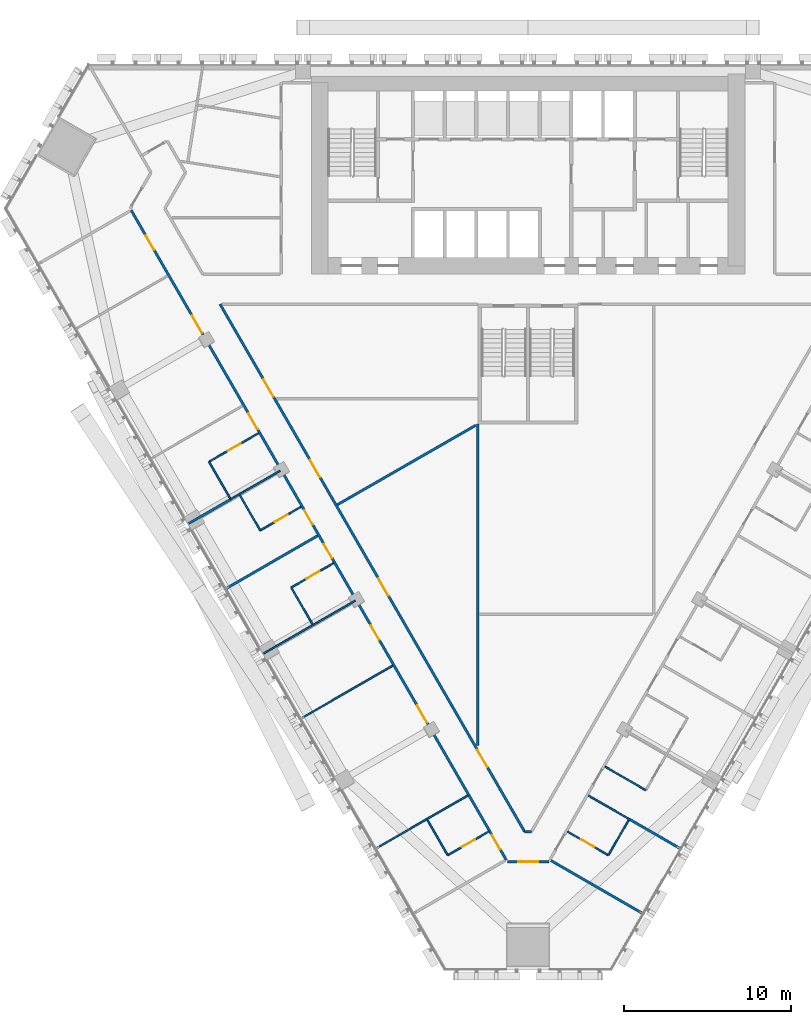
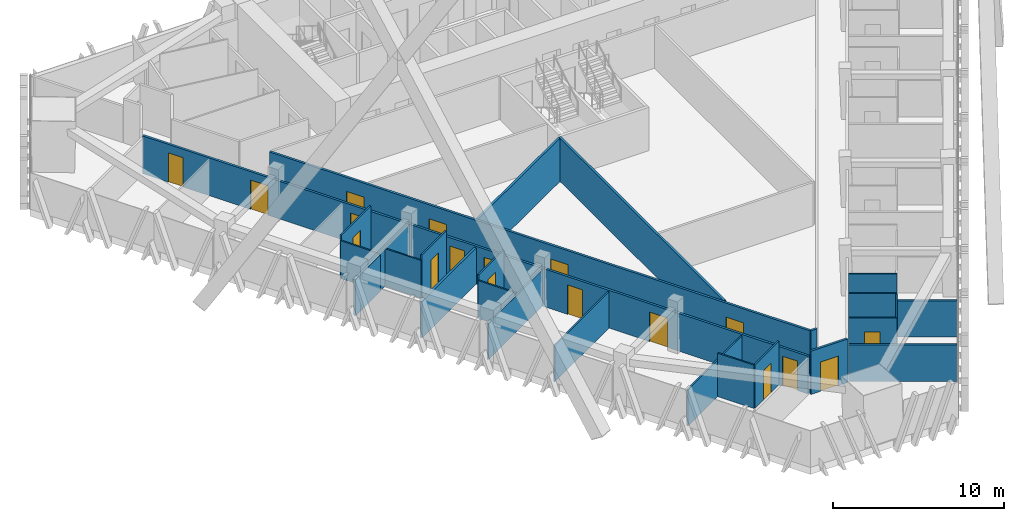
# One storey, part 16 of 24: 26 walls, 18 doors, 18 openings.
"""IFC4 building model written with IfcOpenShell, lengths in metres."""

from ifc_helpers import new_model, si_unit, direction, frame, frame_2d, origin, place, context, subcontext, project, spatial, rectangle, extrude, material, layer, layer_set, type_object, element, fill, save


model = new_model("IFC4")

# Units and contexts
model_context = context("Model", 3, precision=1e-05, world=origin(), true_north=direction((0.0, 1.0)))
body_context = subcontext(model_context, "Body", "Model", "MODEL_VIEW")
ifc_project = project(units=[si_unit("LENGTHUNIT", "METRE"), si_unit("AREAUNIT", "SQUARE_METRE"), si_unit("VOLUMEUNIT", "CUBIC_METRE"), si_unit("PLANEANGLEUNIT", "RADIAN"), si_unit("MASSUNIT", "GRAM", prefix="KILO")], contexts=[model_context])

# Site, building, storey
site_placement = place(None, origin())
site = spatial("IfcSite", under=ifc_project, at=site_placement, CompositionType="ELEMENT")
building_placement = place(site_placement, origin())
building = spatial("IfcBuilding", under=site, at=building_placement, Name="Altiplano Prism Tower", CompositionType="ELEMENT")
storey_placement = place(building_placement, frame((0.0, 0.0, 27.0)))
storey = spatial("IfcBuildingStorey", under=building, at=storey_placement, Name="L05", CompositionType="ELEMENT", Elevation=27.0)

# Wall
ifc_material_1 = material(Name="Plasterboard on steel stud", Category="steel")
ifc_layer_1 = layer(ifc_material_1, 0.10009765625)
ifc_layer_set_1 = layer_set([ifc_layer_1], Name="Plasterboard on steel stud")
wall_type_1 = type_object("IfcWallType", Name="Partition 100 unit", PredefinedType="PARTITIONING", material=ifc_layer_set_1)
wall_1_placement = place(storey_placement, frame((67.1240234375, 78.962158203125, 0.0), z_axis=(0.0, 0.0, 1.0), x_axis=(-0.50001820224, 0.866014894461, 0.0)))
element("IfcWall", 1, at=wall_1_placement, inside=storey, type_object=wall_type_1, Name="Partition P02 L05 040", PredefinedType="PARTITIONING", context=body_context, shape_type="SweptSolid", body=[
    extrude(rectangle(XDim=2.52490234375, YDim=0.10009765625, at=frame_2d((1.262451171875, 0.0))), origin(), (0.0, 0.0, 1.0), 2.699951171875),
])

# Wall, opening, door
wall_2_placement = place(storey_placement, frame((65.861572265625, 81.148681640625, 0.0), z_axis=(0.0, 0.0, 1.0), x_axis=(0.866001587311, 0.500041249073, 0.0)))
wall_2 = element("IfcWall", 2, at=wall_2_placement, inside=storey, type_object=wall_type_1, Name="Partition P02 L05 041", PredefinedType="PARTITIONING", context=body_context, shape_type="SweptSolid", body=[
    extrude(rectangle(XDim=3.425048828125, YDim=0.10009765625, at=frame_2d((1.71240234375, 0.0))), origin(), (0.0, 0.0, 1.0), 3.10009765625),
])
opening_1_placement = place(wall_2_placement, frame((1.300048828125, 0.0, 0.0)))
opening_1 = element("IfcOpeningElement", 3, at=opening_1_placement, cuts=wall_2, Name="Opening D0143", PredefinedType="OPENING", context=body_context, shape_type="SweptSolid", body=[
    extrude(rectangle(XDim=0.89990234375, YDim=2.10009765625, at=frame_2d((0.449951171875, 1.050048828125))), frame((0.0, 0.060546875, 0.0), z_axis=(0.0, -1.0, 0.0), x_axis=(1.0, 0.0, 0.0)), (0.0, 0.0, 1.0), 0.12109375),
])
ifc_material_2 = material(Name="Timber", Category="wood")
door_type_1 = type_object("IfcDoorType", Name="Accessible ensuite door 900 x 2100", OperationType="NOTDEFINED", PredefinedType="NOTDEFINED", material=ifc_material_2)
door_1_placement = place(opening_1_placement, origin())
door_1 = element("IfcDoor", 4, at=door_1_placement, inside=storey, type_object=door_type_1, Name="Door D0143", OperationType="SINGLE_SWING_LEFT", OverallHeight=2.10009765625, OverallWidth=0.89990234375, PredefinedType="NOTDEFINED", context=body_context, shape_type="SweptSolid", body=[
    extrude(rectangle(XDim=0.89990234375, YDim=2.10009765625, at=frame_2d((0.449951171875, 1.050048828125))), frame((0.0, 0.02490234375, 0.0), z_axis=(0.0, -1.0, 0.0), x_axis=(1.0, 0.0, 0.0)), (0.0, 0.0, 1.0), 0.050048828125),
])
fill(opening_1, door_1)

wall_3_placement = place(storey_placement, frame((71.377685546875, 78.444580078125, 0.0), z_axis=(0.0, 0.0, 1.0), x_axis=(-0.866011447264, -0.500024172624, 0.0)))
wall_3 = element("IfcWall", 5, at=wall_3_placement, inside=storey, type_object=wall_type_1, Name="Partition P02 L05 044", PredefinedType="PARTITIONING", context=body_context, shape_type="SweptSolid", body=[
    extrude(rectangle(XDim=2.824951171875, YDim=0.10009765625, at=frame_2d((1.41259765625, 0.0))), origin(), (0.0, 0.0, 1.0), 3.10009765625),
])
opening_2_placement = place(wall_3_placement, frame((0.925048828125, 0.0, 0.0)))
opening_2 = element("IfcOpeningElement", 6, at=opening_2_placement, cuts=wall_3, Name="Opening D0145", PredefinedType="OPENING", context=body_context, shape_type="SweptSolid", body=[
    extrude(rectangle(XDim=0.89990234375, YDim=2.10009765625, at=frame_2d((0.449951171875, 1.050048828125))), frame((0.0, 0.060546875, 0.0), z_axis=(0.0, -1.0, 0.0), x_axis=(1.0, 0.0, 0.0)), (0.0, 0.0, 1.0), 0.12109375),
])
door_type_2 = type_object("IfcDoorType", Name="Ensuite door 900 x 2100", OperationType="NOTDEFINED", PredefinedType="NOTDEFINED", material=ifc_material_2)
door_2_placement = place(opening_2_placement, origin())
door_2 = element("IfcDoor", 7, at=door_2_placement, inside=storey, type_object=door_type_2, Name="Door D0145", OperationType="SINGLE_SWING_LEFT", OverallHeight=2.10009765625, OverallWidth=0.89990234375, PredefinedType="NOTDEFINED", context=body_context, shape_type="SweptSolid", body=[
    extrude(rectangle(XDim=0.89990234375, YDim=2.10009765625, at=frame_2d((0.449951171875, 1.050048828125))), frame((0.0, 0.02490234375, 0.0), z_axis=(0.0, -1.0, 0.0), x_axis=(1.0, 0.0, 0.0)), (0.0, 0.0, 1.0), 0.050048828125),
])
fill(opening_2, door_2)

# Walls
wall_4_placement = place(storey_placement, frame((68.93115234375, 77.031982421875, 0.0), z_axis=(0.0, 0.0, 1.0), x_axis=(-0.500018594424, 0.866014668023, 0.0)))
element("IfcWall", 8, at=wall_4_placement, inside=storey, type_object=wall_type_1, Name="Partition P02 L05 045", PredefinedType="PARTITIONING", context=body_context, shape_type="SweptSolid", body=[
    extrude(rectangle(XDim=2.4501953125, YDim=0.10009765625, at=frame_2d((1.22509765625, 0.0))), origin(), (0.0, 0.0, 1.0), 2.699951171875),
])
wall_5_placement = place(storey_placement, frame((72.069580078125, 71.396240234375, 0.0), z_axis=(0.0, 0.0, 1.0), x_axis=(-0.500062241894, 0.865989465428, 0.0)))
element("IfcWall", 9, at=wall_5_placement, inside=storey, type_object=wall_type_1, Name="Partition P02 L05 047", PredefinedType="PARTITIONING", context=body_context, shape_type="SweptSolid", body=[
    extrude(rectangle(XDim=2.550048828125, YDim=0.10009765625, at=frame_2d((1.27490234375, 0.0))), origin(), (0.0, 0.0, 1.0), 2.699951171875),
])

# Wall, opening, door
wall_6_placement = place(storey_placement, frame((70.79443359375, 73.6044921875, 0.0), z_axis=(0.0, 0.0, 1.0), x_axis=(0.86601045545, 0.500025890382, 0.0)))
wall_6 = element("IfcWall", 10, at=wall_6_placement, inside=storey, type_object=wall_type_1, Name="Partition P02 L05 048", PredefinedType="PARTITIONING", context=body_context, shape_type="SweptSolid", body=[
    extrude(rectangle(XDim=2.925048828125, YDim=0.10009765625, at=frame_2d((1.46240234375, 0.0))), origin(), (0.0, 0.0, 1.0), 3.10009765625),
])
opening_3_placement = place(wall_6_placement, frame((1.050048828125, 0.0, 0.0)))
opening_3 = element("IfcOpeningElement", 11, at=opening_3_placement, cuts=wall_6, Name="Opening D0147", PredefinedType="OPENING", context=body_context, shape_type="SweptSolid", body=[
    extrude(rectangle(XDim=0.89990234375, YDim=2.10009765625, at=frame_2d((0.449951171875, 1.050048828125))), frame((0.0, 0.060546875, 0.0), z_axis=(0.0, -1.0, 0.0), x_axis=(1.0, 0.0, 0.0)), (0.0, 0.0, 1.0), 0.12109375),
])
door_3_placement = place(opening_3_placement, origin())
door_3 = element("IfcDoor", 12, at=door_3_placement, inside=storey, type_object=door_type_2, Name="Door D0147", OperationType="SINGLE_SWING_RIGHT", OverallHeight=2.10009765625, OverallWidth=0.89990234375, PredefinedType="NOTDEFINED", context=body_context, shape_type="SweptSolid", body=[
    extrude(rectangle(XDim=0.89990234375, YDim=2.10009765625, at=frame_2d((0.449951171875, 1.050048828125))), frame((0.0, 0.02490234375, 0.0), z_axis=(0.0, -1.0, 0.0), x_axis=(1.0, 0.0, 0.0)), (0.0, 0.0, 1.0), 0.050048828125),
])
fill(opening_3, door_3)

wall_7_placement = place(storey_placement, frame((82.627685546875, 58.958984375, 0.0), z_axis=(0.0, 0.0, 1.0), x_axis=(-0.866011447264, -0.500024172624, 0.0)))
wall_7 = element("IfcWall", 13, at=wall_7_placement, inside=storey, type_object=wall_type_1, Name="Partition P02 L05 052", PredefinedType="PARTITIONING", context=body_context, shape_type="SweptSolid", body=[
    extrude(rectangle(XDim=2.824951171875, YDim=0.10009765625, at=frame_2d((1.41259765625, 0.0))), origin(), (0.0, 0.0, 1.0), 3.10009765625),
])
opening_4_placement = place(wall_7_placement, frame((0.925048828125, 0.0, 0.0)))
opening_4 = element("IfcOpeningElement", 14, at=opening_4_placement, cuts=wall_7, Name="Opening D0151", PredefinedType="OPENING", context=body_context, shape_type="SweptSolid", body=[
    extrude(rectangle(XDim=0.89990234375, YDim=2.10009765625, at=frame_2d((0.449951171875, 1.050048828125))), frame((0.0, 0.060546875, 0.0), z_axis=(0.0, -1.0, 0.0), x_axis=(1.0, 0.0, 0.0)), (0.0, 0.0, 1.0), 0.12109375),
])
door_4_placement = place(opening_4_placement, origin())
door_4 = element("IfcDoor", 15, at=door_4_placement, inside=storey, type_object=door_type_2, Name="Door D0151", OperationType="SINGLE_SWING_RIGHT", OverallHeight=2.10009765625, OverallWidth=0.89990234375, PredefinedType="NOTDEFINED", context=body_context, shape_type="SweptSolid", body=[
    extrude(rectangle(XDim=0.89990234375, YDim=2.10009765625, at=frame_2d((0.449951171875, 1.050048828125))), frame((0.0, 0.02490234375, 0.0), z_axis=(0.0, -1.0, 0.0), x_axis=(1.0, 0.0, 0.0)), (0.0, 0.0, 1.0), 0.050048828125),
])
fill(opening_4, door_4)

# Walls
wall_8_placement = place(storey_placement, frame((80.18115234375, 57.54638671875, 0.0), z_axis=(0.0, 0.0, 1.0), x_axis=(-0.500018594424, 0.866014668023, 0.0)))
element("IfcWall", 16, at=wall_8_placement, inside=storey, type_object=wall_type_1, Name="Partition P02 L05 053", PredefinedType="PARTITIONING", context=body_context, shape_type="SweptSolid", body=[
    extrude(rectangle(XDim=2.4501953125, YDim=0.10009765625, at=frame_2d((1.22509765625, 0.0))), origin(), (0.0, 0.0, 1.0), 3.10009765625),
])
wall_9_placement = place(storey_placement, frame((91.03125, 59.646484375, 0.0), z_axis=(0.0, 0.0, 1.0), x_axis=(-0.499972286653, -0.866041403502, 0.0)))
element("IfcWall", 17, at=wall_9_placement, inside=storey, type_object=wall_type_1, Name="Partition P02 L05 056", PredefinedType="PARTITIONING", context=body_context, shape_type="SweptSolid", body=[
    extrude(rectangle(XDim=2.425048828125, YDim=0.10009765625, at=frame_2d((1.21240234375, 0.0))), origin(), (0.0, 0.0, 1.0), 3.10009765625),
])

# Wall, opening, door
wall_10_placement = place(storey_placement, frame((89.81884765625, 57.54638671875, 0.0), z_axis=(0.0, 0.0, 1.0), x_axis=(-0.866011447264, 0.500024172624, 0.0)))
wall_10 = element("IfcWall", 18, at=wall_10_placement, inside=storey, type_object=wall_type_1, Name="Partition P02 L05 057", PredefinedType="PARTITIONING", context=body_context, shape_type="SweptSolid", body=[
    extrude(rectangle(XDim=2.824951171875, YDim=0.10009765625, at=frame_2d((1.41259765625, 0.0))), origin(), (0.0, 0.0, 1.0), 3.10009765625),
])
opening_5_placement = place(wall_10_placement, frame((1.0, 0.0, 0.0)))
opening_5 = element("IfcOpeningElement", 19, at=opening_5_placement, cuts=wall_10, Name="Opening D0154", PredefinedType="OPENING", context=body_context, shape_type="SweptSolid", body=[
    extrude(rectangle(XDim=0.89990234375, YDim=2.10009765625, at=frame_2d((0.449951171875, 1.050048828125))), frame((0.0, 0.060546875, 0.0), z_axis=(0.0, -1.0, 0.0), x_axis=(1.0, 0.0, 0.0)), (0.0, 0.0, 1.0), 0.12109375),
])
door_5_placement = place(opening_5_placement, origin())
door_5 = element("IfcDoor", 20, at=door_5_placement, inside=storey, type_object=door_type_2, Name="Door D0154", OperationType="SINGLE_SWING_RIGHT", OverallHeight=2.10009765625, OverallWidth=0.89990234375, PredefinedType="NOTDEFINED", context=body_context, shape_type="SweptSolid", body=[
    extrude(rectangle(XDim=0.89990234375, YDim=2.10009765625, at=frame_2d((0.449951171875, 1.050048828125))), frame((0.0, 0.02490234375, 0.0), z_axis=(0.0, -1.0, 0.0), x_axis=(1.0, 0.0, 0.0)), (0.0, 0.0, 1.0), 0.050048828125),
])
fill(opening_5, door_5)

# Walls
wall_11_placement = place(storey_placement, frame((92.06884765625, 61.443603515625, 0.0), z_axis=(0.0, 0.0, 1.0), x_axis=(-0.866011447264, 0.500024172624, 0.0)))
element("IfcWall", 21, at=wall_11_placement, inside=storey, type_object=wall_type_1, Name="Partition P02 L05 060", PredefinedType="PARTITIONING", context=body_context, shape_type="SweptSolid", body=[
    extrude(rectangle(XDim=2.824951171875, YDim=0.10009765625, at=frame_2d((1.41259765625, 0.0))), origin(), (0.0, 0.0, 1.0), 3.10009765625),
])
ifc_layer_2 = layer(ifc_material_1, 0.10009765625)
ifc_layer_set_2 = layer_set([ifc_layer_2], Name="Plasterboard on steel stud")
wall_type_2 = type_object("IfcWallType", Name="Partition 100 wet", PredefinedType="PARTITIONING", material=ifc_layer_set_2)
wall_12_placement = place(storey_placement, frame((67.144287109375, 78.88720703125, 0.0), z_axis=(0.0, 0.0, 1.0), x_axis=(0.866032163869, 0.499988291006, 0.0)))
element("IfcWall", 22, at=wall_12_placement, inside=storey, type_object=wall_type_2, Name="Partition P03 L05 043", PredefinedType="PARTITIONING", context=body_context, shape_type="SweptSolid", body=[
    extrude(rectangle(XDim=3.44482421875, YDim=0.10009765625, at=frame_2d((1.722412109375, 0.0))), origin(), (0.0, 0.0, 1.0), 2.699951171875),
])
wall_13_placement = place(storey_placement, frame((69.150146484375, 69.65283203125, 0.0), z_axis=(0.0, 0.0, 1.0), x_axis=(0.866015887322, 0.500016482634, 0.0)))
element("IfcWall", 23, at=wall_13_placement, inside=storey, type_object=wall_type_2, Name="Partition P03 L05 049", PredefinedType="PARTITIONING", context=body_context, shape_type="SweptSolid", body=[
    extrude(rectangle(XDim=6.324951171875, YDim=0.10009765625, at=frame_2d((3.16259765625, 0.0))), origin(), (0.0, 0.0, 1.0), 2.60009765625),
])
for number, where, z_axis, x_axis, name in (
    (24, (71.382568359375, 65.74560546875, 0.0), (0.0, 0.0, 1.0), (0.866025401434, 0.500000004071, 0.0), "Partition P03 L05 050"),
    (25, (75.882568359375, 57.951416015625, 0.0), (0.0, 0.0, 1.0), (0.866025401434, 0.500000004071, 0.0), "Partition P03 L05 051"),
):
    element("IfcWall", number, at=place(storey_placement, frame(where, z_axis=z_axis, x_axis=x_axis)), inside=storey, type_object=wall_type_2, Name=name, PredefinedType="PARTITIONING", context=body_context, shape_type="SweptSolid", body=[
        extrude(rectangle(XDim=6.34521484375, YDim=0.10009765625, at=frame_2d((3.172607421875, 0.0))), origin(), (0.0, 0.0, 1.0), 2.60009765625),
    ])
wall_14_placement = place(storey_placement, frame((91.051513671875, 59.721435546875, 0.0), z_axis=(0.0, 0.0, 1.0), x_axis=(-0.866011654119, 0.500023814363, 0.0)))
element("IfcWall", 26, at=wall_14_placement, inside=storey, type_object=wall_type_2, Name="Partition P03 L05 059", PredefinedType="PARTITIONING", context=body_context, shape_type="SweptSolid", body=[
    extrude(rectangle(XDim=2.804931640625, YDim=0.10009765625, at=frame_2d((1.40234375, 0.0))), origin(), (0.0, 0.0, 1.0), 3.10009765625),
])

# Wall, openings, doors
ifc_layer_3 = layer(ifc_material_1, 0.14990234375)
ifc_layer_set_3 = layer_set([ifc_layer_3], Name="Plasterboard on steel stud")
wall_type_3 = type_object("IfcWallType", Name="Partition 150 corridor", PredefinedType="PARTITIONING", material=ifc_layer_set_3)
wall_15_placement = place(storey_placement, frame((61.192626953125, 96.235595703125, 0.0), z_axis=(0.0, 0.0, 1.0), x_axis=(0.49999953585, -0.866025671762, 0.0)))
wall_15 = element("IfcWall", 27, at=wall_15_placement, inside=storey, type_object=wall_type_3, Name="Partition P06 L05 010", PredefinedType="PARTITIONING", context=body_context, shape_type="SweptSolid", body=[
    extrude(rectangle(XDim=45.0, YDim=0.14990234375, at=frame_2d((22.5, 0.0))), origin(), (0.0, 0.0, 1.0), 2.699951171875),
])
opening_6_placement = place(wall_15_placement, frame((1.75, 0.0, 0.0)))
opening_6 = element("IfcOpeningElement", 28, at=opening_6_placement, cuts=wall_15, Name="Opening D0140", PredefinedType="OPENING", context=body_context, shape_type="SweptSolid", body=[
    extrude(rectangle(XDim=1.0, YDim=2.10009765625, at=frame_2d((0.5, 1.050048828125))), frame((0.0, 0.08544921875, 0.0), z_axis=(0.0, -1.0, 0.0), x_axis=(1.0, 0.0, 0.0)), (0.0, 0.0, 1.0), 0.1708984375),
])
opening_7_placement = place(wall_15_placement, frame((7.300048828125, 0.0, 0.0)))
opening_7 = element("IfcOpeningElement", 29, at=opening_7_placement, cuts=wall_15, Name="Opening D0141", PredefinedType="OPENING", context=body_context, shape_type="SweptSolid", body=[
    extrude(rectangle(XDim=1.199951171875, YDim=2.10009765625, at=frame_2d((0.60009765625, 1.050048828125))), frame((0.0, 0.08544921875, 0.0), z_axis=(0.0, -1.0, 0.0), x_axis=(1.0, 0.0, 0.0)), (0.0, 0.0, 1.0), 0.1708984375),
])
opening_8_placement = place(wall_15_placement, frame((14.071044921875, 0.0, 0.0)))
opening_8 = element("IfcOpeningElement", 30, at=opening_8_placement, cuts=wall_15, Name="Opening D0142", PredefinedType="OPENING", context=body_context, shape_type="SweptSolid", body=[
    extrude(rectangle(XDim=1.10009765625, YDim=2.10009765625, at=frame_2d((0.550048828125, 1.050048828125))), frame((0.0, 0.08544921875, 0.0), z_axis=(0.0, -1.0, 0.0), x_axis=(1.0, 0.0, 0.0)), (0.0, 0.0, 1.0), 0.1708984375),
])
opening_9_placement = place(wall_15_placement, frame((20.780029296875, 0.0, 0.0)))
opening_9 = element("IfcOpeningElement", 31, at=opening_9_placement, cuts=wall_15, Name="Opening D0144", PredefinedType="OPENING", context=body_context, shape_type="SweptSolid", body=[
    extrude(rectangle(XDim=1.0, YDim=2.10009765625, at=frame_2d((0.5, 1.050048828125))), frame((0.0, 0.08544921875, 0.0), z_axis=(0.0, -1.0, 0.0), x_axis=(1.0, 0.0, 0.0)), (0.0, 0.0, 1.0), 0.1708984375),
])
opening_10_placement = place(wall_15_placement, frame((23.10498046875, 0.0, 0.0)))
opening_10 = element("IfcOpeningElement", 32, at=opening_10_placement, cuts=wall_15, Name="Opening D0146", PredefinedType="OPENING", context=body_context, shape_type="SweptSolid", body=[
    extrude(rectangle(XDim=1.0, YDim=2.10009765625, at=frame_2d((0.5, 1.050048828125))), frame((0.0, 0.08544921875, 0.0), z_axis=(0.0, -1.0, 0.0), x_axis=(1.0, 0.0, 0.0)), (0.0, 0.0, 1.0), 0.1708984375),
])
opening_11_placement = place(wall_15_placement, frame((28.75, 0.0, 0.0)))
opening_11 = element("IfcOpeningElement", 33, at=opening_11_placement, cuts=wall_15, Name="Opening D0148", PredefinedType="OPENING", context=body_context, shape_type="SweptSolid", body=[
    extrude(rectangle(XDim=1.0, YDim=2.10009765625, at=frame_2d((0.5, 1.050048828125))), frame((0.0, 0.08544921875, 0.0), z_axis=(0.0, -1.0, 0.0), x_axis=(1.0, 0.0, 0.0)), (0.0, 0.0, 1.0), 0.1708984375),
])
opening_12_placement = place(wall_15_placement, frame((34.300048828125, 0.0, 0.0)))
opening_12 = element("IfcOpeningElement", 34, at=opening_12_placement, cuts=wall_15, Name="Opening D0149", PredefinedType="OPENING", context=body_context, shape_type="SweptSolid", body=[
    extrude(rectangle(XDim=1.199951171875, YDim=2.10009765625, at=frame_2d((0.60009765625, 1.050048828125))), frame((0.0, 0.08544921875, 0.0), z_axis=(0.0, -1.0, 0.0), x_axis=(1.0, 0.0, 0.0)), (0.0, 0.0, 1.0), 0.1708984375),
])
opening_13_placement = place(wall_15_placement, frame((43.280029296875, 0.0, 0.0)))
opening_13 = element("IfcOpeningElement", 35, at=opening_13_placement, cuts=wall_15, Name="Opening D0150", PredefinedType="OPENING", context=body_context, shape_type="SweptSolid", body=[
    extrude(rectangle(XDim=1.0, YDim=2.10009765625, at=frame_2d((0.5, 1.050048828125))), frame((0.0, 0.08544921875, 0.0), z_axis=(0.0, -1.0, 0.0), x_axis=(1.0, 0.0, 0.0)), (0.0, 0.0, 1.0), 0.1708984375),
])
door_type_3 = type_object("IfcDoorType", Name="Accessible bedroom door 1100 x 2100", OperationType="NOTDEFINED", PredefinedType="NOTDEFINED", material=ifc_material_2)
door_6_placement = place(opening_8_placement, origin())
door_6 = element("IfcDoor", 36, at=door_6_placement, inside=storey, type_object=door_type_3, Name="Door D0142", OperationType="SINGLE_SWING_LEFT", OverallHeight=2.10009765625, OverallWidth=1.10009765625, PredefinedType="NOTDEFINED", context=body_context, shape_type="SweptSolid", body=[
    extrude(rectangle(XDim=1.10009765625, YDim=2.10009765625, at=frame_2d((0.550048828125, 1.050048828125))), frame((0.0, 0.02490234375, 0.0), z_axis=(0.0, -1.0, 0.0), x_axis=(1.0, 0.0, 0.0)), (0.0, 0.0, 1.0), 0.050048828125),
])
fill(opening_8, door_6)
door_type_4 = type_object("IfcDoorType", Name="Bedroom entrance door 1000 x 2100", OperationType="NOTDEFINED", PredefinedType="NOTDEFINED", material=ifc_material_2)
door_7_placement = place(opening_9_placement, origin())
door_7 = element("IfcDoor", 37, at=door_7_placement, inside=storey, type_object=door_type_4, Name="Door D0144", OperationType="SINGLE_SWING_LEFT", OverallHeight=2.10009765625, OverallWidth=1.0, PredefinedType="NOTDEFINED", context=body_context, shape_type="SweptSolid", body=[
    extrude(rectangle(XDim=1.0, YDim=2.10009765625, at=frame_2d((0.5, 1.050048828125))), frame((0.0, 0.02490234375, 0.0), z_axis=(0.0, -1.0, 0.0), x_axis=(1.0, 0.0, 0.0)), (0.0, 0.0, 1.0), 0.050048828125),
])
fill(opening_9, door_7)
door_8_placement = place(opening_10_placement, origin())
door_8 = element("IfcDoor", 38, at=door_8_placement, inside=storey, type_object=door_type_4, Name="Door D0146", OperationType="SINGLE_SWING_LEFT", OverallHeight=2.10009765625, OverallWidth=1.0, PredefinedType="NOTDEFINED", context=body_context, shape_type="SweptSolid", body=[
    extrude(rectangle(XDim=1.0, YDim=2.10009765625, at=frame_2d((0.5, 1.050048828125))), frame((0.0, 0.02490234375, 0.0), z_axis=(0.0, -1.0, 0.0), x_axis=(1.0, 0.0, 0.0)), (0.0, 0.0, 1.0), 0.050048828125),
])
fill(opening_10, door_8)
door_9_placement = place(opening_13_placement, origin())
door_9 = element("IfcDoor", 39, at=door_9_placement, inside=storey, type_object=door_type_4, Name="Door D0150", OperationType="SINGLE_SWING_RIGHT", OverallHeight=2.10009765625, OverallWidth=1.0, PredefinedType="NOTDEFINED", context=body_context, shape_type="SweptSolid", body=[
    extrude(rectangle(XDim=1.0, YDim=2.10009765625, at=frame_2d((0.5, 1.050048828125))), frame((0.0, 0.02490234375, 0.0), z_axis=(0.0, -1.0, 0.0), x_axis=(1.0, 0.0, 0.0)), (0.0, 0.0, 1.0), 0.050048828125),
])
fill(opening_13, door_9)
door_type_5 = type_object("IfcDoorType", Name="Room door 1000 x 2100", OperationType="NOTDEFINED", PredefinedType="NOTDEFINED", material=ifc_material_2)
door_10_placement = place(opening_6_placement, origin())
door_10 = element("IfcDoor", 40, at=door_10_placement, inside=storey, type_object=door_type_5, Name="Door D0140", OperationType="SINGLE_SWING_LEFT", OverallHeight=2.10009765625, OverallWidth=1.0, PredefinedType="NOTDEFINED", context=body_context, shape_type="SweptSolid", body=[
    extrude(rectangle(XDim=1.0, YDim=2.10009765625, at=frame_2d((0.5, 1.050048828125))), frame((0.0, 0.02490234375, 0.0), z_axis=(0.0, -1.0, 0.0), x_axis=(1.0, 0.0, 0.0)), (0.0, 0.0, 1.0), 0.050048828125),
])
fill(opening_6, door_10)
door_11_placement = place(opening_11_placement, origin())
door_11 = element("IfcDoor", 41, at=door_11_placement, inside=storey, type_object=door_type_5, Name="Door D0148", OperationType="SINGLE_SWING_LEFT", OverallHeight=2.10009765625, OverallWidth=1.0, PredefinedType="NOTDEFINED", context=body_context, shape_type="SweptSolid", body=[
    extrude(rectangle(XDim=1.0, YDim=2.10009765625, at=frame_2d((0.5, 1.050048828125))), frame((0.0, 0.02490234375, 0.0), z_axis=(0.0, -1.0, 0.0), x_axis=(1.0, 0.0, 0.0)), (0.0, 0.0, 1.0), 0.050048828125),
])
fill(opening_11, door_11)
door_type_6 = type_object("IfcDoorType", Name="Shared room door 1200 x 2100", OperationType="NOTDEFINED", PredefinedType="NOTDEFINED", material=ifc_material_2)
door_12_placement = place(opening_7_placement, origin())
door_12 = element("IfcDoor", 42, at=door_12_placement, inside=storey, type_object=door_type_6, Name="Door D0141", OperationType="SINGLE_SWING_LEFT", OverallHeight=2.10009765625, OverallWidth=1.199951171875, PredefinedType="NOTDEFINED", context=body_context, shape_type="SweptSolid", body=[
    extrude(rectangle(XDim=1.199951171875, YDim=2.10009765625, at=frame_2d((0.60009765625, 1.050048828125))), frame((0.0, 0.02490234375, 0.0), z_axis=(0.0, -1.0, 0.0), x_axis=(1.0, 0.0, 0.0)), (0.0, 0.0, 1.0), 0.050048828125),
])
fill(opening_7, door_12)
door_13_placement = place(opening_12_placement, origin())
door_13 = element("IfcDoor", 43, at=door_13_placement, inside=storey, type_object=door_type_6, Name="Door D0149", OperationType="SINGLE_SWING_LEFT", OverallHeight=2.10009765625, OverallWidth=1.199951171875, PredefinedType="NOTDEFINED", context=body_context, shape_type="SweptSolid", body=[
    extrude(rectangle(XDim=1.199951171875, YDim=2.10009765625, at=frame_2d((0.60009765625, 1.050048828125))), frame((0.0, 0.02490234375, 0.0), z_axis=(0.0, -1.0, 0.0), x_axis=(1.0, 0.0, 0.0)), (0.0, 0.0, 1.0), 0.050048828125),
])
fill(opening_12, door_13)

# Wall, opening, door
wall_16_placement = place(storey_placement, frame((83.752685546875, 57.16015625, 0.0), z_axis=(0.0, 0.0, 1.0), x_axis=(1.0, 0.0, 0.0)))
wall_16 = element("IfcWall", 44, at=wall_16_placement, inside=storey, type_object=wall_type_3, Name="Partition P06 L05 011", PredefinedType="PARTITIONING", context=body_context, shape_type="SweptSolid", body=[
    extrude(rectangle(XDim=2.49462890625, YDim=0.14990234375, at=frame_2d((1.247314453125, 0.0))), origin(), (0.0, 0.0, 1.0), 3.10009765625),
])
opening_14_placement = place(wall_16_placement, frame((0.64697265625, 0.0, 0.0)))
opening_14 = element("IfcOpeningElement", 45, at=opening_14_placement, cuts=wall_16, Name="Opening D0152", PredefinedType="OPENING", context=body_context, shape_type="SweptSolid", body=[
    extrude(rectangle(XDim=1.199951171875, YDim=2.10009765625, at=frame_2d((0.60009765625, 1.050048828125))), frame((0.0, 0.08544921875, 0.0), z_axis=(0.0, -1.0, 0.0), x_axis=(1.0, 0.0, 0.0)), (0.0, 0.0, 1.0), 0.1708984375),
])
door_14_placement = place(opening_14_placement, origin())
door_14 = element("IfcDoor", 46, at=door_14_placement, inside=storey, type_object=door_type_6, Name="Door D0152", OperationType="SINGLE_SWING_LEFT", OverallHeight=2.10009765625, OverallWidth=1.199951171875, PredefinedType="NOTDEFINED", context=body_context, shape_type="SweptSolid", body=[
    extrude(rectangle(XDim=1.199951171875, YDim=2.10009765625, at=frame_2d((0.60009765625, 1.050048828125))), frame((0.0, 0.02490234375, 0.0), z_axis=(0.0, -1.0, 0.0), x_axis=(1.0, 0.0, 0.0)), (0.0, 0.0, 1.0), 0.050048828125),
])
fill(opening_14, door_14)

# Wall
wall_17_placement = place(storey_placement, frame((85.2080078125, 58.960205078125, 0.0), z_axis=(0.0, 0.0, 1.0), x_axis=(-1.0, 0.0, 0.0)))
element("IfcWall", 47, at=wall_17_placement, inside=storey, type_object=wall_type_3, Name="Partition P06 L05 025", PredefinedType="PARTITIONING", context=body_context, shape_type="SweptSolid", body=[
    extrude(rectangle(XDim=0.416015625, YDim=0.14990234375, at=frame_2d((0.2080078125, 0.0))), origin(), (0.0, 0.0, 1.0), 3.10009765625),
])

# Wall, openings, doors
wall_18_placement = place(storey_placement, frame((84.7919921875, 58.960205078125, 0.0), z_axis=(0.0, 0.0, 1.0), x_axis=(-0.499995675587, 0.866027900471, 0.0)))
wall_18 = element("IfcWall", 48, at=wall_18_placement, inside=storey, type_object=wall_type_3, Name="Partition P06 L05 026", PredefinedType="PARTITIONING", context=body_context, shape_type="SweptSolid", body=[
    extrude(rectangle(XDim=36.534423828125, YDim=0.14990234375, at=frame_2d((18.26708984375, 0.0))), origin(), (0.0, 0.0, 1.0), 3.10009765625),
])
opening_15_placement = place(wall_18_placement, frame((4.466064453125, 0.0, 0.0)))
opening_15 = element("IfcOpeningElement", 49, at=opening_15_placement, cuts=wall_18, Name="Opening D0176", PredefinedType="OPENING", context=body_context, shape_type="SweptSolid", body=[
    extrude(rectangle(XDim=1.199951171875, YDim=2.10009765625, at=frame_2d((0.60009765625, 1.050048828125))), frame((0.0, 0.08544921875, 0.0), z_axis=(0.0, -1.0, 0.0), x_axis=(1.0, 0.0, 0.0)), (0.0, 0.0, 1.0), 0.1708984375),
])
opening_16_placement = place(wall_18_placement, frame((16.3369140625, 0.0, 0.0)))
opening_16 = element("IfcOpeningElement", 50, at=opening_16_placement, cuts=wall_18, Name="Opening D0177", PredefinedType="OPENING", context=body_context, shape_type="SweptSolid", body=[
    extrude(rectangle(XDim=1.199951171875, YDim=2.10009765625, at=frame_2d((0.60009765625, 1.050048828125))), frame((0.0, 0.08544921875, 0.0), z_axis=(0.0, -1.0, 0.0), x_axis=(1.0, 0.0, 0.0)), (0.0, 0.0, 1.0), 0.1708984375),
])
opening_17_placement = place(wall_18_placement, frame((30.1240234375, 0.0, 0.0)))
opening_17 = element("IfcOpeningElement", 51, at=opening_17_placement, cuts=wall_18, Name="Opening D0178", PredefinedType="OPENING", context=body_context, shape_type="SweptSolid", body=[
    extrude(rectangle(XDim=1.199951171875, YDim=2.10009765625, at=frame_2d((0.60009765625, 1.050048828125))), frame((0.0, 0.08544921875, 0.0), z_axis=(0.0, -1.0, 0.0), x_axis=(1.0, 0.0, 0.0)), (0.0, 0.0, 1.0), 0.1708984375),
])
opening_18_placement = place(wall_18_placement, frame((24.5458984375, 0.0, 0.0)))
opening_18 = element("IfcOpeningElement", 52, at=opening_18_placement, cuts=wall_18, Name="Opening D0179", PredefinedType="OPENING", context=body_context, shape_type="SweptSolid", body=[
    extrude(rectangle(XDim=1.199951171875, YDim=2.10009765625, at=frame_2d((0.60009765625, 1.050048828125))), frame((0.0, 0.08544921875, 0.0), z_axis=(0.0, -1.0, 0.0), x_axis=(1.0, 0.0, 0.0)), (0.0, 0.0, 1.0), 0.1708984375),
])
door_15_placement = place(opening_15_placement, origin())
door_15 = element("IfcDoor", 53, at=door_15_placement, inside=storey, type_object=door_type_6, Name="Door D0176", OperationType="SINGLE_SWING_RIGHT", OverallHeight=2.10009765625, OverallWidth=1.199951171875, PredefinedType="NOTDEFINED", context=body_context, shape_type="SweptSolid", body=[
    extrude(rectangle(XDim=1.199951171875, YDim=2.10009765625, at=frame_2d((0.60009765625, 1.050048828125))), frame((0.0, 0.02490234375, 0.0), z_axis=(0.0, -1.0, 0.0), x_axis=(1.0, 0.0, 0.0)), (0.0, 0.0, 1.0), 0.050048828125),
])
fill(opening_15, door_15)
door_16_placement = place(opening_16_placement, origin())
door_16 = element("IfcDoor", 54, at=door_16_placement, inside=storey, type_object=door_type_6, Name="Door D0177", OperationType="SINGLE_SWING_LEFT", OverallHeight=2.10009765625, OverallWidth=1.199951171875, PredefinedType="NOTDEFINED", context=body_context, shape_type="SweptSolid", body=[
    extrude(rectangle(XDim=1.199951171875, YDim=2.10009765625, at=frame_2d((0.60009765625, 1.050048828125))), frame((0.0, 0.02490234375, 0.0), z_axis=(0.0, -1.0, 0.0), x_axis=(1.0, 0.0, 0.0)), (0.0, 0.0, 1.0), 0.050048828125),
])
fill(opening_16, door_16)
door_17_placement = place(opening_17_placement, origin())
door_17 = element("IfcDoor", 55, at=door_17_placement, inside=storey, type_object=door_type_6, Name="Door D0178", OperationType="SINGLE_SWING_RIGHT", OverallHeight=2.10009765625, OverallWidth=1.199951171875, PredefinedType="NOTDEFINED", context=body_context, shape_type="SweptSolid", body=[
    extrude(rectangle(XDim=1.199951171875, YDim=2.10009765625, at=frame_2d((0.60009765625, 1.050048828125))), frame((0.0, 0.02490234375, 0.0), z_axis=(0.0, -1.0, 0.0), x_axis=(1.0, 0.0, 0.0)), (0.0, 0.0, 1.0), 0.050048828125),
])
fill(opening_17, door_17)
door_18_placement = place(opening_18_placement, origin())
door_18 = element("IfcDoor", 56, at=door_18_placement, inside=storey, type_object=door_type_6, Name="Door D0179", OperationType="SINGLE_SWING_LEFT", OverallHeight=2.10009765625, OverallWidth=1.199951171875, PredefinedType="NOTDEFINED", context=body_context, shape_type="SweptSolid", body=[
    extrude(rectangle(XDim=1.199951171875, YDim=2.10009765625, at=frame_2d((0.60009765625, 1.050048828125))), frame((0.0, 0.02490234375, 0.0), z_axis=(0.0, -1.0, 0.0), x_axis=(1.0, 0.0, 0.0)), (0.0, 0.0, 1.0), 0.050048828125),
])
fill(opening_18, door_18)

# Walls
ifc_layer_4 = layer(ifc_material_1, 0.14990234375)
ifc_layer_set_4 = layer_set([ifc_layer_4], Name="Plasterboard on steel stud")
wall_type_4 = type_object("IfcWallType", Name="Partition 150 party", PredefinedType="PARTITIONING", material=ifc_layer_set_4)
wall_19_placement = place(storey_placement, frame((64.650146484375, 77.447021484375, 0.0), z_axis=(0.0, 0.0, 1.0), x_axis=(0.865996226145, 0.500050533749, 0.0)))
element("IfcWall", 57, at=wall_19_placement, inside=storey, type_object=wall_type_4, Name="Partition P01 L05 042", PredefinedType="PARTITIONING", context=body_context, shape_type="SweptSolid", body=[
    extrude(rectangle(XDim=2.920166015625, YDim=0.14990234375, at=frame_2d((1.4599609375, 0.0))), origin(), (0.0, 0.0, 1.0), 2.60009765625),
])
wall_20_placement = place(storey_placement, frame((66.882568359375, 73.539794921875, 0.0), z_axis=(0.0, 0.0, 1.0), x_axis=(0.866025401434, 0.500000004071, 0.0)))
element("IfcWall", 58, at=wall_20_placement, inside=storey, type_object=wall_type_4, Name="Partition P01 L05 046", PredefinedType="PARTITIONING", context=body_context, shape_type="SweptSolid", body=[
    extrude(rectangle(XDim=6.34521484375, YDim=0.14990234375, at=frame_2d((3.172607421875, 0.0))), origin(), (0.0, 0.0, 1.0), 2.60009765625),
])
wall_21_placement = place(storey_placement, frame((91.867431640625, 54.054443359375, 0.0), z_axis=(0.0, 0.0, 1.0), x_axis=(-0.866042062017, 0.499971145986, 0.0)))
element("IfcWall", 59, at=wall_21_placement, inside=storey, type_object=wall_type_4, Name="Partition P01 L05 055", PredefinedType="PARTITIONING", context=body_context, shape_type="SweptSolid", body=[
    extrude(rectangle(XDim=6.344970703125, YDim=0.14990234375, at=frame_2d((3.17236328125, 0.0))), origin(), (0.0, 0.0, 1.0), 2.60009765625),
])
wall_22_placement = place(storey_placement, frame((94.117431640625, 57.951416015625, 0.0), z_axis=(0.0, 0.0, 1.0), x_axis=(-0.866036293601, 0.499981137809, 0.0)))
element("IfcWall", 60, at=wall_22_placement, inside=storey, type_object=wall_type_4, Name="Partition P01 L05 058", PredefinedType="PARTITIONING", context=body_context, shape_type="SweptSolid", body=[
    extrude(rectangle(XDim=3.540283203125, YDim=0.14990234375, at=frame_2d((1.77001953125, 0.0))), origin(), (0.0, 0.0, 1.0), 2.60009765625),
])
wall_23_placement = place(storey_placement, frame((81.974365234375, 83.39990234375, 0.0), z_axis=(0.0, 0.0, 1.0), x_axis=(0.0, -1.0, 0.0)))
element("IfcWall", 61, at=wall_23_placement, inside=storey, type_object=wall_type_4, Name="Partition P01 L05 092", PredefinedType="PARTITIONING", context=body_context, shape_type="SweptSolid", body=[
    extrude(rectangle(XDim=19.279296875, YDim=0.14990234375, at=frame_2d((9.6396484375, 0.0))), origin(), (0.0, 0.0, 1.0), 3.10009765625),
])
wall_24_placement = place(storey_placement, frame((81.862060546875, 83.33544921875, 0.0), z_axis=(0.0, 0.0, 1.0), x_axis=(-0.867344213884, -0.497708764883, 0.0)))
element("IfcWall", 62, at=wall_24_placement, inside=storey, type_object=wall_type_4, Name="Partition P01 L05 093", PredefinedType="PARTITIONING", context=body_context, shape_type="SweptSolid", body=[
    extrude(rectangle(XDim=9.5751953125, YDim=0.14990234375, at=frame_2d((4.78759765625, 0.0))), origin(), (0.0, 0.0, 1.0), 3.10009765625),
])

save(model, "model.ifc")
